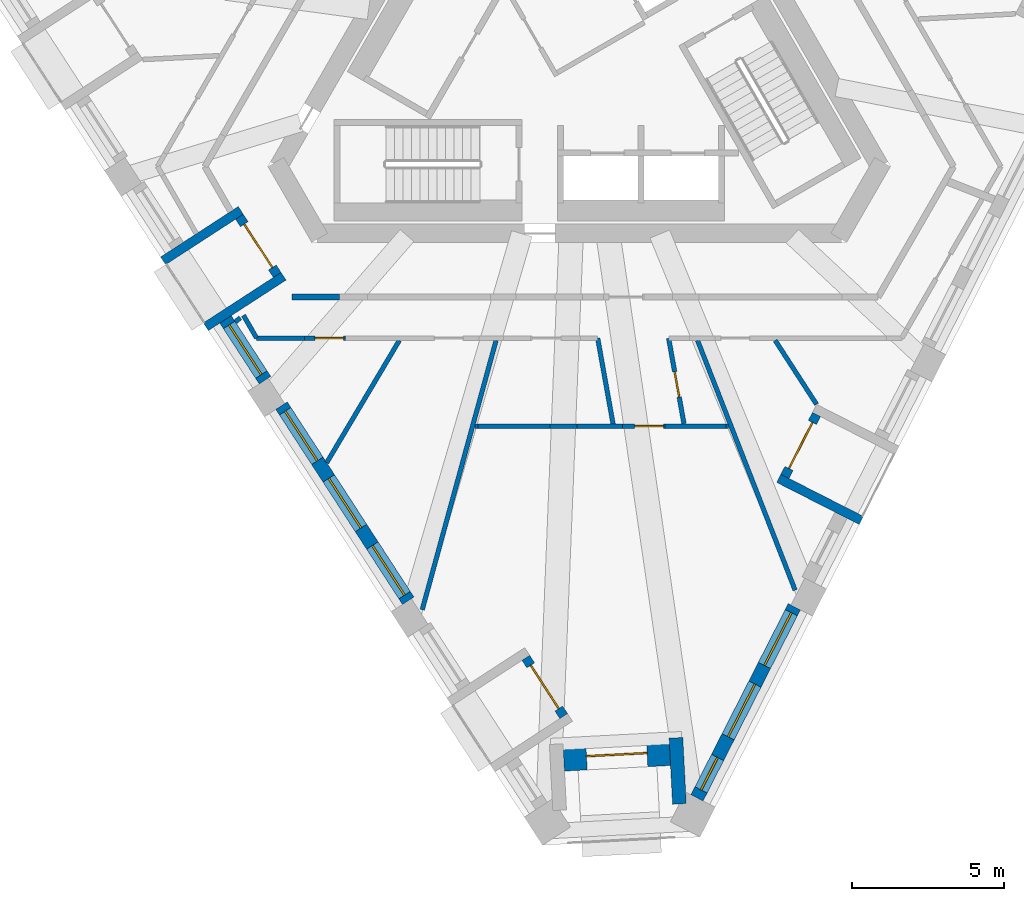
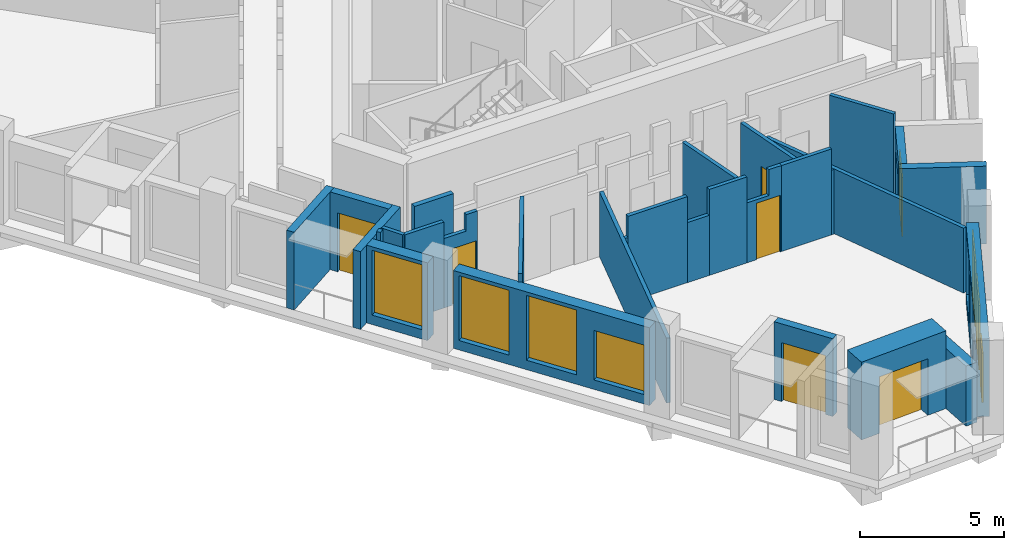
# One storey, part 2 of 12: 29 walls, 7 doors, 7 windows, 14 openings.
"""IFC4 building model written with IfcOpenShell, lengths in metres."""

import ifcopenshell
import ifcopenshell.guid

model = None  # the IFC model being written
_history = None  # IfcOwnerHistory: only IFC2X3 demands one
_inside = {}  # id of a spatial element -> (the spatial element, [elements in it])
_under = {}  # id of a project, library or spatial element -> (it, [spatial elements below it])
_declared = {}  # id of a project -> (the project, [libraries it declares])
_typed = {}  # id of a type object -> (the type object, [elements of that type])
_made_of = {}  # id of a material, layer set ... -> (it, [elements and type objects made of it])


def new_model(schema):
    """Start an empty IFC model of exactly this schema.

    Asked for "IFC4X3", IfcOpenShell would pick the latest addendum, in which some entities
    have other attributes; the version numbers below select the first issue.
    IFC2X3 requires an IfcOwnerHistory on every rooted entity: one is made here for all.
    """
    global model, _history
    if schema == "IFC4X3":
        model = ifcopenshell.file(schema_version=(4, 3, 0, 0))
    else:
        model = ifcopenshell.file(schema=schema)
    _inside.clear()
    _under.clear()
    _declared.clear()
    _typed.clear()
    _made_of.clear()
    _history = None
    if model.schema == "IFC2X3":
        org = make("IfcOrganization", Name="unknown")
        user = make(
            "IfcPersonAndOrganization",
            ThePerson=make("IfcPerson", FamilyName="unknown"),
            TheOrganization=org,
        )
        app = make(
            "IfcApplication",
            ApplicationDeveloper=org,
            Version="unknown",
            ApplicationFullName="unknown",
            ApplicationIdentifier="unknown",
        )
        _history = make(
            "IfcOwnerHistory",
            OwningUser=user,
            OwningApplication=app,
            ChangeAction="ADDED",
            CreationDate=0,
        )
    return model


def make(cls, **values):
    """One entity of the class cls with the attributes given. An attribute that is None is left unset."""
    return model.create_entity(
        cls, **{name: value for name, value in values.items() if value is not None}
    )


def rooted(cls, **values):
    """An entity with a GlobalId (a new one), such as an element, a storey or a relation."""
    return make(cls, GlobalId=ifcopenshell.guid.new(), OwnerHistory=_history, **values)


def si_unit(unit_type, name, prefix=None):
    """IfcSIUnit, for example si_unit("LENGTHUNIT", "METRE", prefix="MILLI")."""
    return make("IfcSIUnit", UnitType=unit_type, Prefix=prefix, Name=name)


def assignment(units):
    """IfcUnitAssignment: the units of a project."""
    return None if units is None else make("IfcUnitAssignment", Units=units)


def point(xyz):
    """IfcCartesianPoint."""
    return None if xyz is None else make("IfcCartesianPoint", Coordinates=xyz)


def direction(xyz):
    """IfcDirection."""
    return None if xyz is None else make("IfcDirection", DirectionRatios=xyz)


def frame(location, z_axis=None, x_axis=None):
    """IfcAxis2Placement3D, a coordinate frame: its origin and axes. An axis left out is left unset."""
    return make(
        "IfcAxis2Placement3D",
        Location=point(location),
        Axis=direction(z_axis),
        RefDirection=direction(x_axis),
    )


def frame_2d(location, x_axis=None):
    """IfcAxis2Placement2D, a coordinate frame in the plane: its origin and x axis."""
    return make(
        "IfcAxis2Placement2D", Location=point(location), RefDirection=direction(x_axis)
    )


def origin():
    """The frame at (0, 0, 0) with its axes left unset."""
    return frame((0.0, 0.0, 0.0))


def place(relative_to, where):
    """IfcLocalPlacement: puts the frame where relative to a parent placement (None: the world)."""
    return make(
        "IfcLocalPlacement", PlacementRelTo=relative_to, RelativePlacement=where
    )


def context(
    kind, dimensions, precision=None, world=None, true_north=None, identifier=None
):
    """IfcGeometricRepresentationContext, for example the 3D "Model" context."""
    return make(
        "IfcGeometricRepresentationContext",
        ContextIdentifier=identifier,
        ContextType=kind,
        CoordinateSpaceDimension=dimensions,
        Precision=precision,
        WorldCoordinateSystem=world,
        TrueNorth=true_north,
    )


def subcontext(parent, identifier, kind, view, scale=None):
    """IfcGeometricRepresentationSubContext, for example "Body" below "Model"."""
    return make(
        "IfcGeometricRepresentationSubContext",
        ContextIdentifier=identifier,
        ContextType=kind,
        ParentContext=parent,
        TargetScale=scale,
        TargetView=view,
    )


def project(units=None, contexts=None):
    """IfcProject with its units and contexts."""
    return rooted(
        "IfcProject",
        Name="project",
        RepresentationContexts=contexts,
        UnitsInContext=assignment(units),
    )


def spatial(cls, under=None, at=None, **own):
    """A site, building, storey or space (cls), placed at a placement, below another one or the project."""
    s = rooted(cls, ObjectPlacement=at, **own)
    if under is not None:
        _under.setdefault(under.id(), (under, []))[1].append(s)
    return s


def polyline(points):
    """IfcPolyline through the points."""
    return make("IfcPolyline", Points=[point(p) for p in points])


def profile(cls, at=None, kind="AREA", **sizes):
    """A parametric profile (cls). Its sizes go by their IFC names, for example OverallWidth=200.0."""
    return make(cls, ProfileType=kind, Position=at, **sizes)


def rectangle(**sizes):
    """IfcRectangleProfileDef."""
    return profile("IfcRectangleProfileDef", **sizes)


def outline(outer, holes=None, kind="AREA"):
    """IfcArbitraryClosedProfileDef: a profile drawn as a closed curve; with holes, ...WithVoids."""
    if holes is None:
        return make("IfcArbitraryClosedProfileDef", ProfileType=kind, OuterCurve=outer)
    return make(
        "IfcArbitraryProfileDefWithVoids",
        ProfileType=kind,
        OuterCurve=outer,
        InnerCurves=holes,
    )


def extrude(swept, where, along, depth):
    """IfcExtrudedAreaSolid: the profile swept, set in the frame where, extruded along a direction by depth."""
    return make(
        "IfcExtrudedAreaSolid",
        SweptArea=swept,
        Position=where,
        ExtrudedDirection=direction(along),
        Depth=depth,
    )


def shape(context_of_items, identifier, shape_type, items):
    """IfcShapeRepresentation: the items that make up one representation, for example the "Body"."""
    return make(
        "IfcShapeRepresentation",
        ContextOfItems=context_of_items,
        RepresentationIdentifier=identifier,
        RepresentationType=shape_type,
        Items=items,
    )


def material(Name=None, Category=None):
    """IfcMaterial."""
    return make("IfcMaterial", Name=Name, Category=Category)


def layer(
    of_material, thickness, ventilated=None, Name=None, Category=None, Priority=None
):
    """IfcMaterialLayer: one layer of a wall or slab, of a material (None: an air gap)."""
    return make(
        "IfcMaterialLayer",
        Material=of_material,
        LayerThickness=thickness,
        IsVentilated=ventilated,
        Name=Name,
        Category=Category,
        Priority=Priority,
    )


def layer_set(layers, Name=None):
    """IfcMaterialLayerSet."""
    return make("IfcMaterialLayerSet", MaterialLayers=layers, LayerSetName=Name)


def made_of(thing, what):
    """Note that an element or type object is made of a material, layer set ...; save() writes the relation."""
    if what is not None:
        _made_of.setdefault(what.id(), (what, []))[1].append(thing)
    return thing


def type_object(cls, material=None, **own):
    """A type object (cls), such as IfcWallType, which elements share."""
    return made_of(rooted(cls, **own), material)


def element(
    cls,
    number,
    at=None,
    inside=None,
    cuts=None,
    type_object=None,
    material=None,
    context=None,
    identifier="Body",
    shape_type=None,
    held_by="IfcProductDefinitionShape",
    body=None,
    shapes=None,
    **own,
):
    """One element of the class cls, such as IfcWall. Its Tag is "e" and its number.

    at: its placement. inside: the storey or other place that contains it. cuts: it is an
    opening in that element (IfcRelVoidsElement). A single representation is given by context,
    identifier, shape_type and body (its items); several are given by shapes. held_by: the class
    of the entity that holds the representations. save() writes the other relations.
    """
    e = rooted(cls, Tag="e%d" % number, ObjectPlacement=at, **own)
    if body is not None:
        shapes = [shape(context, identifier, shape_type, body)]
    if shapes is not None:
        e.Representation = make(held_by, Representations=shapes)
    if inside is not None:
        _inside.setdefault(inside.id(), (inside, []))[1].append(e)
    if cuts is not None:
        rooted(
            "IfcRelVoidsElement", RelatingBuildingElement=cuts, RelatedOpeningElement=e
        )
    if type_object is not None:
        _typed.setdefault(type_object.id(), (type_object, []))[1].append(e)
    return made_of(e, material)


def fill(opening, filler):
    """IfcRelFillsElement: the door or window that sits in an opening."""
    return rooted(
        "IfcRelFillsElement",
        RelatingOpeningElement=opening,
        RelatedBuildingElement=filler,
    )


def aggregate(whole, parts):
    """IfcRelAggregates: a whole, such as a stair, and the parts it consists of."""
    return rooted("IfcRelAggregates", RelatingObject=whole, RelatedObjects=parts)


def save(model, path):
    """Write the relations noted so far, then the file.

    IfcRelAggregates (storeys below a building ...), IfcRelContainedInSpatialStructure (elements
    in a storey), IfcRelDefinesByType, IfcRelAssociatesMaterial and IfcRelDeclares: one each for
    every whole, place, type object, material and project.
    """
    for whole, parts in _under.values():
        aggregate(whole, parts)
    for where, things in _inside.values():
        rooted(
            "IfcRelContainedInSpatialStructure",
            RelatedElements=things,
            RelatingStructure=where,
        )
    for kind, things in _typed.values():
        rooted("IfcRelDefinesByType", RelatedObjects=things, RelatingType=kind)
    for what, things in _made_of.values():
        rooted("IfcRelAssociatesMaterial", RelatedObjects=things, RelatingMaterial=what)
    for by, libraries in _declared.values():
        rooted("IfcRelDeclares", RelatingContext=by, RelatedDefinitions=libraries)
    model.write(path)


model = new_model("IFC4")

# Units and contexts
model_context = context("Model", 3, precision=1e-05, world=origin(), true_north=direction((0.0, 1.0)))
body_context = subcontext(model_context, "Body", "Model", "MODEL_VIEW")
ifc_project = project(units=[si_unit("LENGTHUNIT", "METRE"), si_unit("AREAUNIT", "SQUARE_METRE"), si_unit("VOLUMEUNIT", "CUBIC_METRE"), si_unit("PLANEANGLEUNIT", "RADIAN"), si_unit("MASSUNIT", "GRAM", prefix="KILO")], contexts=[model_context])

# Site, building, storey
site_placement = place(None, origin())
site = spatial("IfcSite", under=ifc_project, at=site_placement, CompositionType="ELEMENT")
building_placement = place(site_placement, origin())
building = spatial("IfcBuilding", under=site, at=building_placement, Name="Tramontana Tower", CompositionType="ELEMENT")
storey_placement = place(building_placement, frame((0.0, 0.0, 278.39990234375)))
storey = spatial("IfcBuildingStorey", under=building, at=storey_placement, Name="L65", CompositionType="ELEMENT", Elevation=278.39990234375)

# Wall
ifc_material_1 = material(Name="Blockwork", Category="masonry")
ifc_layer_1 = layer(ifc_material_1, 0.199951171875)
ifc_layer_set_1 = layer_set([ifc_layer_1], Name="ENTRY WALL 200")
wall_type_1 = type_object("IfcWallType", Name="ENTRY WALL 200", PredefinedType="SOLIDWALL", material=ifc_layer_set_1)
wall_1_placement = place(storey_placement, frame((-7.89599609375, -8.550048828125, 0.0), z_axis=(0.0, 0.0, 1.0), x_axis=(-1.0, 0.0, 0.0)))
element("IfcWall", 1, at=wall_1_placement, inside=storey, type_object=wall_type_1, Name="Wall v70-ew1-11", PredefinedType="SOLIDWALL", context=body_context, shape_type="SweptSolid", body=[
    extrude(rectangle(XDim=1.569580078125, YDim=0.199951171875, at=frame_2d((0.78466796875, 0.0))), origin(), (0.0, 0.0, 1.0), 3.650146484375),
])

# Wall, opening, window
ifc_material_2 = material(Name="Precast concrete 60 MPa", Category="concrete")
ifc_layer_2 = layer(ifc_material_2, 0.449951171875)
ifc_layer_set_2 = layer_set([ifc_layer_2], Name="Precast concrete 60 MPa, 450 mm")
wall_type_2 = type_object("IfcWallType", Name="EW1 Stone-faced precast wall 450", PredefinedType="SOLIDWALL", material=ifc_layer_set_2)
wall_2_placement = place(storey_placement, frame((-11.647216796875, -9.284912109375, 0.0), z_axis=(0.0, 0.0, 1.0), x_axis=(0.544722247615, -0.838616523182, 0.0)))
wall_2 = element("IfcWall", 2, at=wall_2_placement, inside=storey, type_object=wall_type_2, Name="External wall L65 face 0 bay 3", PredefinedType="SOLIDWALL", context=body_context, shape_type="SweptSolid", body=[
    extrude(rectangle(XDim=2.38671875, YDim=0.449951171875, at=frame_2d((1.193359375, 0.0))), origin(), (0.0, 0.0, 1.0), 3.300048828125),
])
opening_1_placement = place(wall_2_placement, frame((0.21826171875, 0.0, 0.39990234375)))
opening_1 = element("IfcOpeningElement", 3, at=opening_1_placement, cuts=wall_2, Name="Opening M3", PredefinedType="OPENING", context=body_context, shape_type="SweptSolid", body=[
    extrude(rectangle(XDim=1.949951171875, YDim=2.75, at=frame_2d((0.97509765625, 1.375))), frame((0.0, 0.23486328125, 0.0), z_axis=(0.0, -1.0, 0.0), x_axis=(1.0, 0.0, 0.0)), (0.0, 0.0, 1.0), 0.469970703125),
])
ifc_material_3 = material(Name="Aluminum frame, double glazing unit", Category="aluminium")
window_type_1 = type_object("IfcWindowType", Name="M3 Window 1.95 x 2.75", PartitioningType="SINGLE_PANEL", PredefinedType="WINDOW", material=ifc_material_3)
window_1_placement = place(opening_1_placement, origin())
window_1 = element("IfcWindow", 4, at=window_1_placement, inside=storey, type_object=window_type_1, Name="Window M3 L65 face 0 module 9", OverallHeight=2.75, OverallWidth=1.949951171875, PartitioningType="SINGLE_PANEL", PredefinedType="WINDOW", context=body_context, shape_type="SweptSolid", body=[
    extrude(rectangle(XDim=1.949951171875, YDim=2.75, at=frame_2d((0.97509765625, 1.375))), frame((0.0, 0.030029296875, 0.0), z_axis=(0.0, -1.0, 0.0), x_axis=(1.0, 0.0, 0.0)), (0.0, 0.0, 1.0), 0.06005859375),
])
fill(opening_1, window_1)

# Wall, openings, windows
wall_3_placement = place(storey_placement, frame((-9.802734375, -12.125244140625, 0.0), z_axis=(0.0, 0.0, 1.0), x_axis=(0.544649987904, -0.838663454954, 0.0)))
wall_3 = element("IfcWall", 5, at=wall_3_placement, inside=storey, type_object=wall_type_2, Name="External wall L65 face 0 bay 4", PredefinedType="SOLIDWALL", context=body_context, shape_type="SweptSolid", body=[
    extrude(rectangle(XDim=7.66015625, YDim=0.449951171875, at=frame_2d((3.830078125, 0.0))), origin(), (0.0, 0.0, 1.0), 3.300048828125),
])
opening_2_placement = place(wall_3_placement, frame((0.21826171875, 0.0, 0.39990234375)))
opening_2 = element("IfcOpeningElement", 6, at=opening_2_placement, cuts=wall_3, Name="Opening M3", PredefinedType="OPENING", context=body_context, shape_type="SweptSolid", body=[
    extrude(rectangle(XDim=1.949951171875, YDim=2.75, at=frame_2d((0.97509765625, 1.375))), frame((0.0, 0.23486328125, 0.0), z_axis=(0.0, -1.0, 0.0), x_axis=(1.0, 0.0, 0.0)), (0.0, 0.0, 1.0), 0.469970703125),
])
opening_3_placement = place(wall_3_placement, frame((2.855224609375, 0.0, 0.39990234375)))
opening_3 = element("IfcOpeningElement", 7, at=opening_3_placement, cuts=wall_3, Name="Opening M3", PredefinedType="OPENING", context=body_context, shape_type="SweptSolid", body=[
    extrude(rectangle(XDim=1.949951171875, YDim=2.75, at=frame_2d((0.97509765625, 1.375))), frame((0.0, 0.23486328125, 0.0), z_axis=(0.0, -1.0, 0.0), x_axis=(1.0, 0.0, 0.0)), (0.0, 0.0, 1.0), 0.469970703125),
])
opening_4_placement = place(wall_3_placement, frame((5.491943359375, 0.0, 0.39990234375)))
opening_4 = element("IfcOpeningElement", 8, at=opening_4_placement, cuts=wall_3, Name="Opening M3L", PredefinedType="OPENING", context=body_context, shape_type="SweptSolid", body=[
    extrude(rectangle(XDim=1.949951171875, YDim=2.10009765625, at=frame_2d((0.97509765625, 1.050048828125))), frame((0.0, 0.23486328125, 0.0), z_axis=(0.0, -1.0, 0.0), x_axis=(1.0, 0.0, 0.0)), (0.0, 0.0, 1.0), 0.469970703125),
])
window_2_placement = place(opening_2_placement, origin())
window_2 = element("IfcWindow", 9, at=window_2_placement, inside=storey, type_object=window_type_1, Name="Window M3 L65 face 0 module 10", OverallHeight=2.75, OverallWidth=1.949951171875, PartitioningType="SINGLE_PANEL", PredefinedType="WINDOW", context=body_context, shape_type="SweptSolid", body=[
    extrude(rectangle(XDim=1.949951171875, YDim=2.75, at=frame_2d((0.97509765625, 1.375))), frame((0.0, 0.030029296875, 0.0), z_axis=(0.0, -1.0, 0.0), x_axis=(1.0, 0.0, 0.0)), (0.0, 0.0, 1.0), 0.06005859375),
])
fill(opening_2, window_2)
window_3_placement = place(opening_3_placement, origin())
window_3 = element("IfcWindow", 10, at=window_3_placement, inside=storey, type_object=window_type_1, Name="Window M3 L65 face 0 module 11", OverallHeight=2.75, OverallWidth=1.949951171875, PartitioningType="SINGLE_PANEL", PredefinedType="WINDOW", context=body_context, shape_type="SweptSolid", body=[
    extrude(rectangle(XDim=1.949951171875, YDim=2.75, at=frame_2d((0.97509765625, 1.375))), frame((0.0, 0.030029296875, 0.0), z_axis=(0.0, -1.0, 0.0), x_axis=(1.0, 0.0, 0.0)), (0.0, 0.0, 1.0), 0.06005859375),
])
fill(opening_3, window_3)
ifc_material_4 = material(Name="Aluminum frame, double glazing unit", Category="aluminium")
window_type_2 = type_object("IfcWindowType", Name="M3L Window 1.95 x 2.1", PartitioningType="SINGLE_PANEL", PredefinedType="WINDOW", material=ifc_material_4)
window_4_placement = place(opening_4_placement, origin())
window_4 = element("IfcWindow", 11, at=window_4_placement, inside=storey, type_object=window_type_2, Name="Window M3L L65 face 0 module 12", OverallHeight=2.10009765625, OverallWidth=1.949951171875, PartitioningType="SINGLE_PANEL", PredefinedType="WINDOW", context=body_context, shape_type="SweptSolid", body=[
    extrude(rectangle(XDim=1.949951171875, YDim=2.10009765625, at=frame_2d((0.97509765625, 1.050048828125))), frame((0.0, 0.030029296875, 0.0), z_axis=(0.0, -1.0, 0.0), x_axis=(1.0, 0.0, 0.0)), (0.0, 0.0, 1.0), 0.06005859375),
])
fill(opening_4, window_4)

wall_4_placement = place(storey_placement, frame((3.87939453125, -25.041259765625, 0.0), z_axis=(0.0, 0.0, 1.0), x_axis=(0.453992084912, 0.891005716501, 0.0)))
wall_4 = element("IfcWall", 12, at=wall_4_placement, inside=storey, type_object=wall_type_2, Name="External wall L65 face 1 bay 1", PredefinedType="SOLIDWALL", context=body_context, shape_type="SweptSolid", body=[
    extrude(rectangle(XDim=7.060302734375, YDim=0.449951171875, at=frame_2d((3.5302734375, 0.0))), origin(), (0.0, 0.0, 1.0), 3.300048828125),
])
opening_5_placement = place(wall_4_placement, frame((0.29345703125, 0.0, 0.39990234375)))
opening_5 = element("IfcOpeningElement", 13, at=opening_5_placement, cuts=wall_4, Name="Opening N3L", PredefinedType="OPENING", context=body_context, shape_type="SweptSolid", body=[
    extrude(rectangle(XDim=1.199951171875, YDim=2.10009765625, at=frame_2d((0.60009765625, 1.050048828125))), frame((0.0, 0.23486328125, 0.0), z_axis=(0.0, -1.0, 0.0), x_axis=(1.0, 0.0, 0.0)), (0.0, 0.0, 1.0), 0.469970703125),
])
opening_6_placement = place(wall_4_placement, frame((2.255126953125, 0.0, 0.39990234375)))
opening_6 = element("IfcOpeningElement", 14, at=opening_6_placement, cuts=wall_4, Name="Opening M3", PredefinedType="OPENING", context=body_context, shape_type="SweptSolid", body=[
    extrude(rectangle(XDim=1.949951171875, YDim=2.75, at=frame_2d((0.97509765625, 1.375))), frame((0.0, 0.23486328125, 0.0), z_axis=(0.0, -1.0, 0.0), x_axis=(1.0, 0.0, 0.0)), (0.0, 0.0, 1.0), 0.469970703125),
])
opening_7_placement = place(wall_4_placement, frame((4.891845703125, 0.0, 0.39990234375)))
opening_7 = element("IfcOpeningElement", 15, at=opening_7_placement, cuts=wall_4, Name="Opening M3", PredefinedType="OPENING", context=body_context, shape_type="SweptSolid", body=[
    extrude(rectangle(XDim=1.949951171875, YDim=2.75, at=frame_2d((0.97509765625, 1.375))), frame((0.0, 0.23486328125, 0.0), z_axis=(0.0, -1.0, 0.0), x_axis=(1.0, 0.0, 0.0)), (0.0, 0.0, 1.0), 0.469970703125),
])
window_5_placement = place(opening_6_placement, origin())
window_5 = element("IfcWindow", 16, at=window_5_placement, inside=storey, type_object=window_type_1, Name="Window M3 L65 face 1 module 2", OverallHeight=2.75, OverallWidth=1.949951171875, PartitioningType="SINGLE_PANEL", PredefinedType="WINDOW", context=body_context, shape_type="SweptSolid", body=[
    extrude(rectangle(XDim=1.949951171875, YDim=2.75, at=frame_2d((0.97509765625, 1.375))), frame((0.0, 0.030029296875, 0.0), z_axis=(0.0, -1.0, 0.0), x_axis=(1.0, 0.0, 0.0)), (0.0, 0.0, 1.0), 0.06005859375),
])
fill(opening_6, window_5)
window_6_placement = place(opening_7_placement, origin())
window_6 = element("IfcWindow", 17, at=window_6_placement, inside=storey, type_object=window_type_1, Name="Window M3 L65 face 1 module 3", OverallHeight=2.75, OverallWidth=1.949951171875, PartitioningType="SINGLE_PANEL", PredefinedType="WINDOW", context=body_context, shape_type="SweptSolid", body=[
    extrude(rectangle(XDim=1.949951171875, YDim=2.75, at=frame_2d((0.97509765625, 1.375))), frame((0.0, 0.030029296875, 0.0), z_axis=(0.0, -1.0, 0.0), x_axis=(1.0, 0.0, 0.0)), (0.0, 0.0, 1.0), 0.06005859375),
])
fill(opening_7, window_6)
ifc_material_5 = material(Name="Aluminum frame, double glazing unit", Category="aluminium")
window_type_3 = type_object("IfcWindowType", Name="N3L Window 1.2 x 2.1", PartitioningType="SINGLE_PANEL", PredefinedType="WINDOW", material=ifc_material_5)
window_7_placement = place(opening_5_placement, origin())
window_7 = element("IfcWindow", 18, at=window_7_placement, inside=storey, type_object=window_type_3, Name="Window N3L L65 face 1 module 1", OverallHeight=2.10009765625, OverallWidth=1.199951171875, PartitioningType="SINGLE_PANEL", PredefinedType="WINDOW", context=body_context, shape_type="SweptSolid", body=[
    extrude(rectangle(XDim=1.199951171875, YDim=2.10009765625, at=frame_2d((0.60009765625, 1.050048828125))), frame((0.0, 0.030029296875, 0.0), z_axis=(0.0, -1.0, 0.0), x_axis=(1.0, 0.0, 0.0)), (0.0, 0.0, 1.0), 0.06005859375),
])
fill(opening_5, window_7)

# Wall
wall_5_placement = place(storey_placement, frame((3.300537109375, -25.240966796875, 0.0), z_axis=(0.0, 0.0, 1.0), x_axis=(-0.052323605405, 0.998630181958, 0.0)))
element("IfcWall", 19, at=wall_5_placement, inside=storey, type_object=wall_type_2, Name="Corner loggia side wall L65 K71l", PredefinedType="SOLIDWALL", context=body_context, shape_type="SweptSolid", body=[
    extrude(rectangle(XDim=2.178955078125, YDim=0.449951171875, at=frame_2d((1.08935546875, 0.0))), origin(), (0.0, 0.0, 1.0), 2.550048828125),
])

# Wall, opening, door
ifc_material_6 = material(Name="Precast concrete 60 MPa", Category="concrete")
ifc_layer_3 = layer(ifc_material_6, 0.89990234375)
ifc_layer_set_3 = layer_set([ifc_layer_3], Name="EW2 Stone-faced corner loggia wall 900")
wall_type_3 = type_object("IfcWallType", Name="EW2 Stone-faced corner loggia wall 900", PredefinedType="SOLIDWALL", material=ifc_layer_set_3)
wall_6_placement = place(storey_placement, frame((2.9853515625, -23.52587890625, 0.0), z_axis=(0.0, 0.0, 1.0), x_axis=(-0.998626871225, -0.0523867547, 0.0)))
wall_6 = element("IfcWall", 20, at=wall_6_placement, inside=storey, type_object=wall_type_3, Name="Corner loggia wall L65 K71", PredefinedType="SOLIDWALL", context=body_context, shape_type="SweptSolid", body=[
    extrude(rectangle(XDim=3.5, YDim=0.89990234375, at=frame_2d((1.75, 0.0))), origin(), (0.0, 0.0, 1.0), 3.300048828125),
])
opening_8_placement = place(wall_6_placement, frame((0.75, 0.0, 0.0)))
opening_8 = element("IfcOpeningElement", 21, at=opening_8_placement, cuts=wall_6, Name="Opening BD-71C", PredefinedType="OPENING", context=body_context, shape_type="SweptSolid", body=[
    extrude(rectangle(XDim=2.0, YDim=2.39990234375, at=frame_2d((1.0, 1.199951171875))), frame((0.0, 0.4599609375, 0.0), z_axis=(0.0, -1.0, 0.0), x_axis=(1.0, 0.0, 0.0)), (0.0, 0.0, 1.0), 0.919921875),
])
ifc_material_7 = material(Name="Aluminum frame, double glazing unit", Category="aluminium")
door_type_1 = type_object("IfcDoorType", Name="BC1 Sliding door 2 x 2.4", OperationType="SLIDING_TO_LEFT", PredefinedType="DOOR", material=ifc_material_7)
door_1_placement = place(opening_8_placement, origin())
door_1 = element("IfcDoor", 22, at=door_1_placement, inside=storey, type_object=door_type_1, Name="Corner loggia door L65 K71", OperationType="SLIDING_TO_LEFT", OverallHeight=2.39990234375, OverallWidth=2.0, PredefinedType="DOOR", context=body_context, shape_type="SweptSolid", body=[
    extrude(rectangle(XDim=2.0, YDim=2.39990234375, at=frame_2d((1.0, 1.199951171875))), frame((0.0, 0.02490234375, 0.0), z_axis=(0.0, -1.0, 0.0), x_axis=(1.0, 0.0, 0.0)), (0.0, 0.0, 1.0), 0.050048828125),
])
fill(opening_8, door_1)

ifc_material_8 = material(Name="Precast concrete 60 MPa", Category="concrete")
ifc_layer_4 = layer(ifc_material_8, 0.300048828125)
ifc_layer_set_4 = layer_set([ifc_layer_4], Name="LW1 Stone-faced loggia wall 300")
wall_type_4 = type_object("IfcWallType", Name="LW1 Stone-faced loggia wall 300", PredefinedType="SOLIDWALL", material=ifc_layer_set_4)
wall_7_placement = place(storey_placement, frame((-11.18994140625, -5.903564453125, 0.0), z_axis=(0.0, 0.0, 1.0), x_axis=(0.544631777146, -0.838675281216, 0.0)))
wall_7 = element("IfcWall", 23, at=wall_7_placement, inside=storey, type_object=wall_type_4, Name="Loggia wall L65 G7S0.7", PredefinedType="SOLIDWALL", context=body_context, shape_type="SweptSolid", body=[
    extrude(rectangle(XDim=2.28662109375, YDim=0.300048828125, at=frame_2d((1.143310546875, 0.0))), origin(), (0.0, 0.0, 1.0), 3.300048828125),
])
opening_9_placement = place(wall_7_placement, frame((0.29345703125, 0.0, 0.0)))
opening_9 = element("IfcOpeningElement", 24, at=opening_9_placement, cuts=wall_7, Name="Opening BD-7S0-07", PredefinedType="OPENING", context=body_context, shape_type="SweptSolid", body=[
    extrude(rectangle(XDim=1.699951171875, YDim=2.5, at=frame_2d((0.85009765625, 1.25))), frame((0.0, 0.159912109375, 0.0), z_axis=(0.0, -1.0, 0.0), x_axis=(1.0, 0.0, 0.0)), (0.0, 0.0, 1.0), 0.320068359375),
])
ifc_material_9 = material(Name="Aluminum frame, double glazing unit", Category="aluminium")
door_type_2 = type_object("IfcDoorType", Name="BD3 Sliding door 1.7 x 2.5", OperationType="SLIDING_TO_LEFT", PredefinedType="DOOR", material=ifc_material_9)
door_2_placement = place(opening_9_placement, origin())
door_2 = element("IfcDoor", 25, at=door_2_placement, inside=storey, type_object=door_type_2, Name="Loggia door L65 G7S0.7", OperationType="SLIDING_TO_LEFT", OverallHeight=2.5, OverallWidth=1.699951171875, PredefinedType="DOOR", context=body_context, shape_type="SweptSolid", body=[
    extrude(rectangle(XDim=1.699951171875, YDim=2.5, at=frame_2d((0.85009765625, 1.25))), frame((0.0, 0.02490234375, 0.0), z_axis=(0.0, -1.0, 0.0), x_axis=(1.0, 0.0, 0.0)), (0.0, 0.0, 1.0), 0.050048828125),
])
fill(opening_9, door_2)

# Walls
wall_8_placement = place(storey_placement, frame((-13.703857421875, -7.357177734375, 0.0), z_axis=(0.0, 0.0, 1.0), x_axis=(0.838688583525, 0.544611292451, 0.0)))
element("IfcWall", 26, at=wall_8_placement, inside=storey, type_object=wall_type_4, Name="Loggia return L65 G7S0.7a", PredefinedType="SOLIDWALL", context=body_context, shape_type="SweptSolid", body=[
    extrude(rectangle(XDim=3.050048828125, YDim=0.300048828125, at=frame_2d((1.52490234375, 0.0))), origin(), (0.0, 0.0, 1.0), 3.300048828125),
])
wall_9_placement = place(storey_placement, frame((-12.294921875, -9.526611328125, 0.0), z_axis=(0.0, 0.0, 1.0), x_axis=(0.838664840319, 0.544647854685, 0.0)))
element("IfcWall", 27, at=wall_9_placement, inside=storey, type_object=wall_type_4, Name="Loggia return L65 G7S0.7b", PredefinedType="SOLIDWALL", context=body_context, shape_type="SweptSolid", body=[
    extrude(rectangle(XDim=3.0498046875, YDim=0.300048828125, at=frame_2d((1.52490234375, 0.0))), origin(), (0.0, 0.0, 1.0), 3.300048828125),
])

# Wall, opening, door
wall_10_placement = place(storey_placement, frame((-1.756591796875, -20.4296875, 0.0), z_axis=(0.0, 0.0, 1.0), x_axis=(0.544658103125, -0.838658184662, 0.0)))
wall_10 = element("IfcWall", 28, at=wall_10_placement, inside=storey, type_object=wall_type_4, Name="Loggia wall L65 G7S0.13", PredefinedType="SOLIDWALL", context=body_context, shape_type="SweptSolid", body=[
    extrude(rectangle(XDim=2.286865234375, YDim=0.300048828125, at=frame_2d((1.1435546875, 0.0))), origin(), (0.0, 0.0, 1.0), 3.300048828125),
])
opening_10_placement = place(wall_10_placement, frame((0.29345703125, 0.0, 0.0)))
opening_10 = element("IfcOpeningElement", 29, at=opening_10_placement, cuts=wall_10, Name="Opening BD-7S0-13", PredefinedType="OPENING", context=body_context, shape_type="SweptSolid", body=[
    extrude(rectangle(XDim=1.699951171875, YDim=2.5, at=frame_2d((0.85009765625, 1.25))), frame((0.0, 0.159912109375, 0.0), z_axis=(0.0, -1.0, 0.0), x_axis=(1.0, 0.0, 0.0)), (0.0, 0.0, 1.0), 0.320068359375),
])
door_3_placement = place(opening_10_placement, origin())
door_3 = element("IfcDoor", 30, at=door_3_placement, inside=storey, type_object=door_type_2, Name="Loggia door L65 G7S0.13", OperationType="SLIDING_TO_LEFT", OverallHeight=2.5, OverallWidth=1.699951171875, PredefinedType="DOOR", context=body_context, shape_type="SweptSolid", body=[
    extrude(rectangle(XDim=1.699951171875, YDim=2.5, at=frame_2d((0.85009765625, 1.25))), frame((0.0, 0.02490234375, 0.0), z_axis=(0.0, -1.0, 0.0), x_axis=(1.0, 0.0, 0.0)), (0.0, 0.0, 1.0), 0.050048828125),
])
fill(opening_10, door_3)

wall_11_placement = place(storey_placement, frame((6.77587890625, -14.455322265625, 0.0), z_axis=(0.0, 0.0, 1.0), x_axis=(0.454076116559, 0.890962895058, 0.0)))
wall_11 = element("IfcWall", 31, at=wall_11_placement, inside=storey, type_object=wall_type_4, Name="Loggia wall L65 G7S1.4", PredefinedType="SOLIDWALL", context=body_context, shape_type="SweptSolid", body=[
    extrude(rectangle(XDim=2.28662109375, YDim=0.300048828125, at=frame_2d((1.143310546875, 0.0))), origin(), (0.0, 0.0, 1.0), 3.300048828125),
])
opening_11_placement = place(wall_11_placement, frame((0.29345703125, 0.0, 0.0)))
opening_11 = element("IfcOpeningElement", 32, at=opening_11_placement, cuts=wall_11, Name="Opening BD-7S1-04", PredefinedType="OPENING", context=body_context, shape_type="SweptSolid", body=[
    extrude(rectangle(XDim=1.699951171875, YDim=2.5, at=frame_2d((0.85009765625, 1.25))), frame((0.0, 0.159912109375, 0.0), z_axis=(0.0, -1.0, 0.0), x_axis=(1.0, 0.0, 0.0)), (0.0, 0.0, 1.0), 0.320068359375),
])
door_4_placement = place(opening_11_placement, origin())
door_4 = element("IfcDoor", 33, at=door_4_placement, inside=storey, type_object=door_type_2, Name="Loggia door L65 G7S1.4", OperationType="SLIDING_TO_LEFT", OverallHeight=2.5, OverallWidth=1.699951171875, PredefinedType="DOOR", context=body_context, shape_type="SweptSolid", body=[
    extrude(rectangle(XDim=1.699951171875, YDim=2.5, at=frame_2d((0.85009765625, 1.25))), frame((0.0, 0.02490234375, 0.0), z_axis=(0.0, -1.0, 0.0), x_axis=(1.0, 0.0, 0.0)), (0.0, 0.0, 1.0), 0.050048828125),
])
fill(opening_11, door_4)

# Walls
wall_12_placement = place(storey_placement, frame((9.291748046875, -15.905517578125, 0.0), z_axis=(0.0, 0.0, 1.0), x_axis=(-0.891023613249, 0.453956959009, 0.0)))
element("IfcWall", 34, at=wall_12_placement, inside=storey, type_object=wall_type_4, Name="Loggia return L65 G7S1.4a", PredefinedType="SOLIDWALL", context=body_context, shape_type="SweptSolid", body=[
    extrude(rectangle(XDim=3.0498046875, YDim=0.300048828125, at=frame_2d((1.52490234375, 0.0))), origin(), (0.0, 0.0, 1.0), 3.300048828125),
])
ifc_material_10 = material(Name="Gypsum board partition")
ifc_layer_5 = layer(ifc_material_10, 0.14990234375)
ifc_layer_set_5 = layer_set([ifc_layer_5], Name="PARTITION 150")
wall_type_5 = type_object("IfcWallType", Name="PARTITION 150", PredefinedType="PARTITIONING", material=ifc_layer_set_5)
wall_13_placement = place(storey_placement, frame((-11.158935546875, -9.23193359375, 0.0), z_axis=(0.0, 0.0, 1.0), x_axis=(-0.770548519297, -0.637381345357, 0.0)))
element("IfcWall", 35, at=wall_13_placement, inside=storey, type_object=wall_type_5, Name="Wall v70-pw05", PredefinedType="PARTITIONING", context=body_context, shape_type="SweptSolid", body=[
    extrude(rectangle(XDim=0.214599609375, YDim=0.14990234375, at=frame_2d((0.107421875, 0.0))), origin(), (0.0, 0.0, 1.0), 3.650146484375),
])
wall_14_placement = place(storey_placement, frame((-10.623291015625, -9.89990234375, 0.0), z_axis=(0.0, 0.0, 1.0), x_axis=(-0.499999740363, 0.866025553686, 0.0)))
element("IfcWall", 36, at=wall_14_placement, inside=storey, type_object=wall_type_5, Name="Wall v70-pw06", PredefinedType="PARTITIONING", context=body_context, shape_type="SweptSolid", body=[
    extrude(rectangle(XDim=0.86376953125, YDim=0.14990234375, at=frame_2d((0.431884765625, 0.0))), origin(), (0.0, 0.0, 1.0), 3.650146484375),
])
wall_15_placement = place(storey_placement, frame((-8.31396484375, -14.00439453125, 0.0), z_axis=(0.0, 0.0, 1.0), x_axis=(0.510490601778, 0.859883332491, 0.0)))
element("IfcWall", 37, at=wall_15_placement, inside=storey, type_object=wall_type_5, Name="Wall v70-pw09", PredefinedType="PARTITIONING", context=body_context, shape_type="SweptSolid", body=[
    extrude(rectangle(XDim=4.685791015625, YDim=0.14990234375, at=frame_2d((2.3427734375, 0.0))), origin(), (0.0, 0.0, 1.0), 3.650146484375),
])
wall_16_placement = place(storey_placement, frame((-5.16943359375, -18.846435546875, 0.0), z_axis=(0.0, 0.0, 1.0), x_axis=(0.264522923164, 0.964379397914, 0.0)))
element("IfcWall", 38, at=wall_16_placement, inside=storey, type_object=wall_type_5, Name="Wall v70-pw11-0", PredefinedType="PARTITIONING", context=body_context, shape_type="SweptSolid", body=[
    extrude(rectangle(XDim=9.198974609375, YDim=0.14990234375, at=frame_2d((4.599609375, 0.0))), origin(), (0.0, 0.0, 1.0), 2.75),
])

# Wall, opening, door
wall_17_placement = place(storey_placement, frame((-7.703857421875, -9.89990234375, 0.0), z_axis=(0.0, 0.0, 1.0), x_axis=(-1.0, 0.0, 0.0)))
wall_17 = element("IfcWall", 39, at=wall_17_placement, inside=storey, type_object=wall_type_5, Name="Wall v70-pw14-5", PredefinedType="PARTITIONING", context=body_context, shape_type="SweptSolid", body=[
    extrude(outline(polyline([(0.0, 0.0), (1.348876953125, 0.0), (1.34912109375, 2.9501953125), (0.45458984375, 2.9501953125), (0.45458984375, 3.650146484375), (0.0, 3.650146484375), (0.0, 0.0)])), frame((0.0, 0.074951171875, 0.0), z_axis=(0.0, -1.0, 0.0), x_axis=(1.0, 0.0, 0.0)), (0.0, 0.0, 1.0), 0.14990234375),
])
opening_12_placement = place(wall_17_placement, frame((0.050048828125, 0.0, 0.0)))
opening_12 = element("IfcOpeningElement", 40, at=opening_12_placement, cuts=wall_17, Name="Opening B7A-11", PredefinedType="OPENING", context=body_context, shape_type="SweptSolid", body=[
    extrude(rectangle(XDim=0.949951171875, YDim=2.39990234375, at=frame_2d((0.47509765625, 1.199951171875))), frame((0.0, 0.0849609375, 0.0), z_axis=(0.0, -1.0, 0.0), x_axis=(1.0, 0.0, 0.0)), (0.0, 0.0, 1.0), 0.169921875),
])
ifc_material_11 = material(Name="Painted timber", Category="wood")
door_type_3 = type_object("IfcDoorType", Name="DOOR ROOM 950", OperationType="SINGLE_SWING_LEFT", PredefinedType="DOOR", material=ifc_material_11)
door_5_placement = place(opening_12_placement, origin())
door_5 = element("IfcDoor", 41, at=door_5_placement, inside=storey, type_object=door_type_3, Name="Door B7A-11", OperationType="SINGLE_SWING_LEFT", OverallHeight=2.39990234375, OverallWidth=0.949951171875, PredefinedType="DOOR", context=body_context, shape_type="SweptSolid", body=[
    extrude(rectangle(XDim=0.949951171875, YDim=2.39990234375, at=frame_2d((0.47509765625, 1.199951171875))), frame((0.0, 0.02490234375, 0.0), z_axis=(0.0, -1.0, 0.0), x_axis=(1.0, 0.0, 0.0)), (0.0, 0.0, 1.0), 0.050048828125),
])
fill(opening_12, door_5)

# Walls
wall_18_placement = place(storey_placement, frame((-9.052734375, -9.89990234375, 0.0), z_axis=(0.0, 0.0, 1.0), x_axis=(-1.0, 0.0, 0.0)))
element("IfcWall", 42, at=wall_18_placement, inside=storey, type_object=wall_type_5, Name="Wall v70-pw14-6", PredefinedType="PARTITIONING", context=body_context, shape_type="SweptSolid", body=[
    extrude(rectangle(XDim=1.5703125, YDim=0.14990234375, at=frame_2d((0.78515625, 0.0))), origin(), (0.0, 0.0, 1.0), 3.650146484375),
])
wall_19_placement = place(storey_placement, frame((1.1279296875, -12.797119140625, 0.0), z_axis=(0.0, 0.0, 1.0), x_axis=(-0.176626932502, 0.984277870682, 0.0)))
element("IfcWall", 43, at=wall_19_placement, inside=storey, type_object=wall_type_5, Name="Wall v70-pw16", PredefinedType="PARTITIONING", context=body_context, shape_type="SweptSolid", body=[
    extrude(rectangle(XDim=2.93994140625, YDim=0.14990234375, at=frame_2d((1.469970703125, 0.0))), origin(), (0.0, 0.0, 1.0), 3.650146484375),
])

# Wall, opening, door
wall_20_placement = place(storey_placement, frame((2.945556640625, -9.90478515625, 0.0), z_axis=(0.0, 0.0, 1.0), x_axis=(0.17664289563, -0.984275005993, 0.0)))
wall_20 = element("IfcWall", 44, at=wall_20_placement, inside=storey, type_object=wall_type_5, Name="Wall v70-pw17", PredefinedType="PARTITIONING", context=body_context, shape_type="SweptSolid", body=[
    extrude(rectangle(XDim=2.865234375, YDim=0.14990234375, at=frame_2d((1.4326171875, 0.0))), origin(), (0.0, 0.0, 1.0), 3.650146484375),
])
opening_13_placement = place(wall_20_placement, frame((1.1201171875, 0.0, 0.0)))
opening_13 = element("IfcOpeningElement", 45, at=opening_13_placement, cuts=wall_20, Name="Opening B7A-08", PredefinedType="OPENING", context=body_context, shape_type="SweptSolid", body=[
    extrude(rectangle(XDim=0.85009765625, YDim=2.39990234375, at=frame_2d((0.425048828125, 1.199951171875))), frame((0.0, 0.0849609375, 0.0), z_axis=(0.0, -1.0, 0.0), x_axis=(1.0, 0.0, 0.0)), (0.0, 0.0, 1.0), 0.169921875),
])
ifc_material_12 = material(Name="Painted timber", Category="wood")
door_type_4 = type_object("IfcDoorType", Name="DOOR BATH 850", OperationType="SINGLE_SWING_LEFT", PredefinedType="DOOR", material=ifc_material_12)
door_6_placement = place(opening_13_placement, origin())
door_6 = element("IfcDoor", 46, at=door_6_placement, inside=storey, type_object=door_type_4, Name="Door B7A-08", OperationType="SINGLE_SWING_RIGHT", OverallHeight=2.39990234375, OverallWidth=0.85009765625, PredefinedType="DOOR", context=body_context, shape_type="SweptSolid", body=[
    extrude(rectangle(XDim=0.85009765625, YDim=2.39990234375, at=frame_2d((0.425048828125, 1.199951171875))), frame((0.0, 0.02490234375, 0.0), z_axis=(0.0, -1.0, 0.0), x_axis=(1.0, 0.0, 0.0)), (0.0, 0.0, 1.0), 0.050048828125),
])
fill(opening_13, door_6)

# Walls
wall_21_placement = place(storey_placement, frame((3.89697265625, -9.97509765625, 0.0), z_axis=(0.0, 0.0, 1.0), x_axis=(0.363873008582, -0.931448567354, 0.0)))
element("IfcWall", 47, at=wall_21_placement, inside=storey, type_object=wall_type_5, Name="Wall v70-pw19-0", PredefinedType="PARTITIONING", context=body_context, shape_type="SweptSolid", body=[
    extrude(rectangle(XDim=8.8330078125, YDim=0.14990234375, at=frame_2d((4.41650390625, 0.0))), origin(), (0.0, 0.0, 1.0), 2.75),
])
wall_22_placement = place(storey_placement, frame((4.919921875, -12.800048828125, 0.0), z_axis=(0.0, 0.0, 1.0), x_axis=(-1.0, 0.0, 0.0)))
element("IfcWall", 48, at=wall_22_placement, inside=storey, type_object=wall_type_5, Name="Wall v70-pw20-0", PredefinedType="PARTITIONING", context=body_context, shape_type="SweptSolid", body=[
    extrude(rectangle(XDim=0.09033203125, YDim=0.14990234375, at=frame_2d((0.045166015625, 0.0))), origin(), (0.0, 0.0, 1.0), 2.75),
])
wall_23_placement = place(storey_placement, frame((4.82958984375, -12.800048828125, 0.0), z_axis=(0.0, 0.0, 1.0), x_axis=(-1.0, 0.0, 0.0)))
element("IfcWall", 49, at=wall_23_placement, inside=storey, type_object=wall_type_5, Name="Wall v70-pw20-1", PredefinedType="PARTITIONING", context=body_context, shape_type="SweptSolid", body=[
    extrude(rectangle(XDim=2.008056640625, YDim=0.14990234375, at=frame_2d((1.00390625, 0.0))), origin(), (0.0, 0.0, 1.0), 3.650146484375),
])

# Wall, opening, door
wall_24_placement = place(storey_placement, frame((2.821533203125, -12.800048828125, 0.0), z_axis=(0.0, 0.0, 1.0), x_axis=(-1.0, 0.0, 0.0)))
wall_24 = element("IfcWall", 50, at=wall_24_placement, inside=storey, type_object=wall_type_5, Name="Wall v70-pw20-2", PredefinedType="PARTITIONING", context=body_context, shape_type="SweptSolid", body=[
    extrude(outline(polyline([(0.0, 0.0), (1.392333984375, 0.0), (1.392333984375, 2.550048828125), (0.508056640625, 2.550048828125), (0.508056640625, 3.650146484375), (0.0, 3.650146484375), (0.0, 0.0)])), frame((0.0, 0.074951171875, 0.0), z_axis=(0.0, -1.0, 0.0), x_axis=(1.0, 0.0, 0.0)), (0.0, 0.0, 1.0), 0.14990234375),
])
opening_14_placement = place(wall_24_placement, frame((0.050048828125, 0.0, 0.0)))
opening_14 = element("IfcOpeningElement", 51, at=opening_14_placement, cuts=wall_24, Name="Opening B7A-09", PredefinedType="OPENING", context=body_context, shape_type="SweptSolid", body=[
    extrude(rectangle(XDim=0.949951171875, YDim=2.39990234375, at=frame_2d((0.47509765625, 1.199951171875))), frame((0.0, 0.0849609375, 0.0), z_axis=(0.0, -1.0, 0.0), x_axis=(1.0, 0.0, 0.0)), (0.0, 0.0, 1.0), 0.169921875),
])
door_7_placement = place(opening_14_placement, origin())
door_7 = element("IfcDoor", 52, at=door_7_placement, inside=storey, type_object=door_type_3, Name="Door B7A-09", OperationType="SINGLE_SWING_LEFT", OverallHeight=2.39990234375, OverallWidth=0.949951171875, PredefinedType="DOOR", context=body_context, shape_type="SweptSolid", body=[
    extrude(rectangle(XDim=0.949951171875, YDim=2.39990234375, at=frame_2d((0.47509765625, 1.199951171875))), frame((0.0, 0.02490234375, 0.0), z_axis=(0.0, -1.0, 0.0), x_axis=(1.0, 0.0, 0.0)), (0.0, 0.0, 1.0), 0.050048828125),
])
fill(opening_14, door_7)

# Walls
wall_25_placement = place(storey_placement, frame((1.42919921875, -12.800048828125, 0.0), z_axis=(0.0, 0.0, 1.0), x_axis=(-1.0, 0.0, 0.0)))
element("IfcWall", 53, at=wall_25_placement, inside=storey, type_object=wall_type_5, Name="Wall v70-pw20-3", PredefinedType="PARTITIONING", context=body_context, shape_type="SweptSolid", body=[
    extrude(rectangle(XDim=1.509521484375, YDim=0.14990234375, at=frame_2d((0.7548828125, 0.0))), origin(), (0.0, 0.0, 1.0), 3.650146484375),
])
wall_26_placement = place(storey_placement, frame((-0.080322265625, -12.800048828125, 0.0), z_axis=(0.0, 0.0, 1.0), x_axis=(-1.0, 0.0, 0.0)))
element("IfcWall", 54, at=wall_26_placement, inside=storey, type_object=wall_type_5, Name="Wall v70-pw20-4", PredefinedType="PARTITIONING", context=body_context, shape_type="SweptSolid", body=[
    extrude(rectangle(XDim=0.875732421875, YDim=0.14990234375, at=frame_2d((0.43798828125, 0.0))), origin(), (0.0, 0.0, 1.0), 2.550048828125),
])
wall_27_placement = place(storey_placement, frame((-0.9560546875, -12.800048828125, 0.0), z_axis=(0.0, 0.0, 1.0), x_axis=(-1.0, 0.0, 0.0)))
element("IfcWall", 55, at=wall_27_placement, inside=storey, type_object=wall_type_5, Name="Wall v70-pw20-5", PredefinedType="PARTITIONING", context=body_context, shape_type="SweptSolid", body=[
    extrude(rectangle(XDim=2.382080078125, YDim=0.14990234375, at=frame_2d((1.19091796875, 0.0))), origin(), (0.0, 0.0, 1.0), 3.650146484375),
])
wall_28_placement = place(storey_placement, frame((-3.338134765625, -12.800048828125, 0.0), z_axis=(0.0, 0.0, 1.0), x_axis=(-1.0, 0.0, 0.0)))
element("IfcWall", 56, at=wall_28_placement, inside=storey, type_object=wall_type_5, Name="Wall v70-pw20-6", PredefinedType="PARTITIONING", context=body_context, shape_type="SweptSolid", body=[
    extrude(rectangle(XDim=0.094970703125, YDim=0.14990234375, at=frame_2d((0.04736328125, 0.0))), origin(), (0.0, 0.0, 1.0), 2.75),
])
wall_29_placement = place(storey_placement, frame((6.453369140625, -9.97509765625, 0.0), z_axis=(0.0, 0.0, 1.0), x_axis=(0.543154479249, -0.839632783824, 0.0)))
element("IfcWall", 57, at=wall_29_placement, inside=storey, type_object=wall_type_5, Name="Wall v70-pw21", PredefinedType="PARTITIONING", context=body_context, shape_type="SweptSolid", body=[
    extrude(rectangle(XDim=2.510009765625, YDim=0.14990234375, at=frame_2d((1.2548828125, 0.0))), origin(), (0.0, 0.0, 1.0), 3.650146484375),
])

save(model, "model.ifc")
